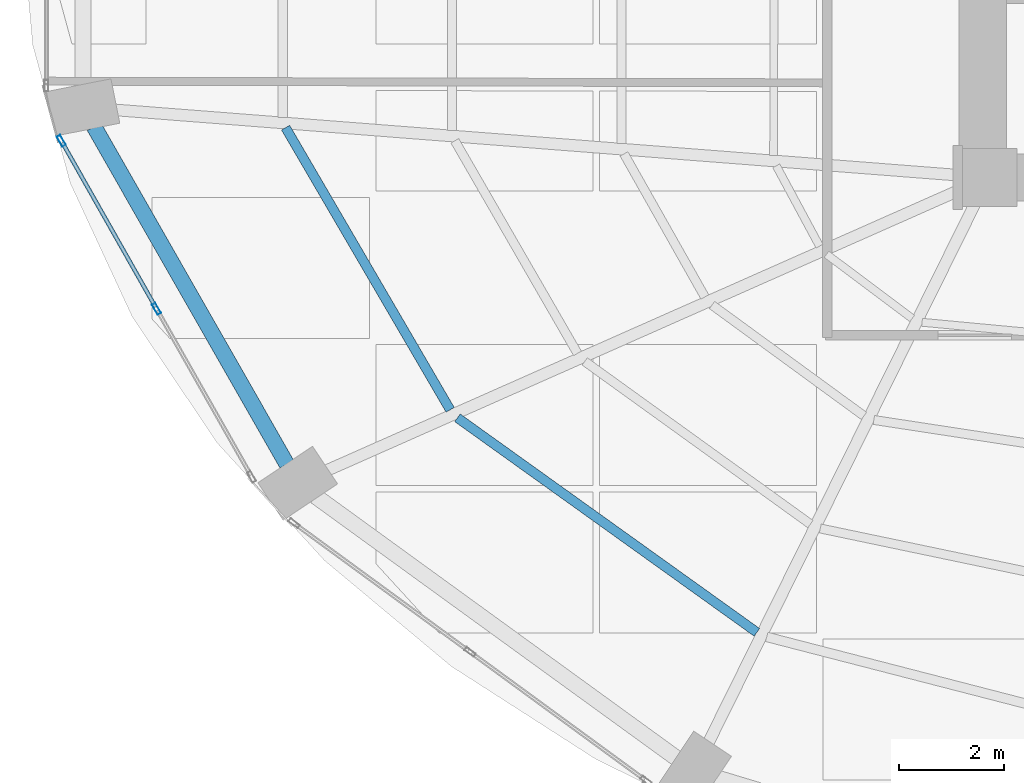
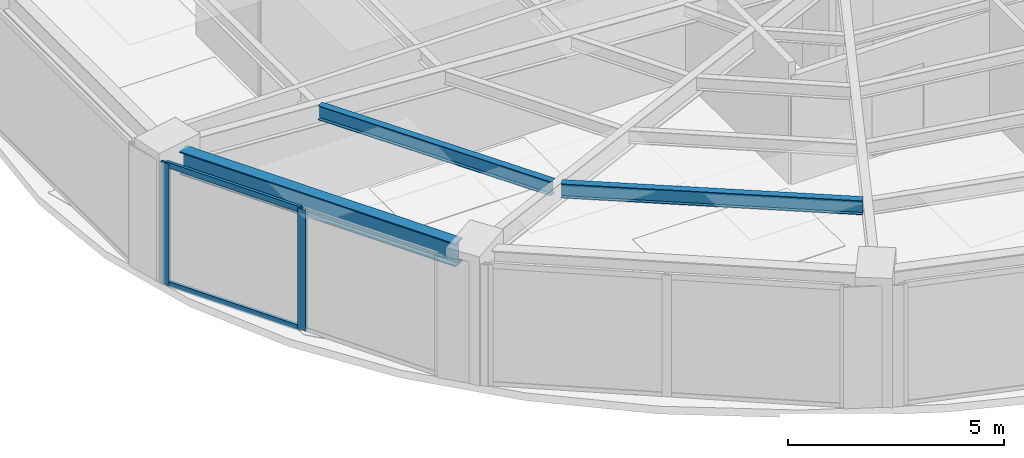
# One storey, part 3 of 24: 4 members, 3 beams, 1 element without a shape of its own.
"""IFC4 building model written with IfcOpenShell, lengths in metres."""

from ifc_helpers import new_model, si_unit, direction, frame, origin, origin_2d, place, context, subcontext, project, spatial, hollow_rectangle, i_section, extrude, material, layer, layer_set, material_profile, profile_set, type_object, element, aggregate, save


model = new_model("IFC4")

# Units and contexts
model_context = context("Model", 3, precision=1e-05, world=origin(), true_north=direction((0.0, 1.0)))
body_context = subcontext(model_context, "Body", "Model", "MODEL_VIEW")
ifc_project = project(units=[si_unit("LENGTHUNIT", "METRE"), si_unit("AREAUNIT", "SQUARE_METRE"), si_unit("VOLUMEUNIT", "CUBIC_METRE"), si_unit("PLANEANGLEUNIT", "RADIAN"), si_unit("MASSUNIT", "GRAM", prefix="KILO")], contexts=[model_context])

# Site, building, storey
site_placement = place(None, origin())
site = spatial("IfcSite", under=ifc_project, at=site_placement, CompositionType="ELEMENT")
building_placement = place(site_placement, origin())
building = spatial("IfcBuilding", under=site, at=building_placement, Name="Lazwardi Medical Tower", CompositionType="ELEMENT")
storey_placement = place(building_placement, frame((0.0, 0.0, 65.327880859375)))
storey = spatial("IfcBuildingStorey", under=building, at=storey_placement, Name="L16", CompositionType="ELEMENT", Elevation=65.327880859375)

# Beams
ifc_material_1 = material(Name="Steel S355", Category="steel")
ifc_material_profile_1 = material_profile(ifc_material_1, i_section(OverallWidth=0.300048828125, OverallDepth=0.64990234375, WebThickness=0.01611328125, FlangeThickness=0.031005859375, at=origin_2d()), Name="HEB 650")
ifc_profile_set_1 = profile_set([ifc_material_profile_1], Name="Steel S355")
beam_type_1 = type_object("IfcBeamType", Name="BM-RB-Z1", PredefinedType="BEAM", material=ifc_profile_set_1)
beam_1_placement = place(storey_placement, frame((9.408203125, 21.36767578125, 3.10302734375), z_axis=(0.49581512241, -0.868428099724, 0.0), x_axis=(0.868428099724, 0.49581512241, 0.0)))
element("IfcBeam", 1, at=beam_1_placement, inside=storey, type_object=beam_type_1, Name="Ring beam RB-02 B13 L16", PredefinedType="BEAM", context=body_context, shape_type="SweptSolid", body=[
    extrude(i_section(OverallWidth=0.300048828125, OverallDepth=0.64990234375, WebThickness=0.01611328125, FlangeThickness=0.031005859375, at=origin_2d()), origin(), (0.0, 0.0, 1.0), 7.389404296875),
])
ifc_material_profile_2 = material_profile(ifc_material_1, i_section(OverallWidth=0.179931640625, OverallDepth=0.39990234375, WebThickness=0.008544921875, FlangeThickness=0.013427734375, at=origin_2d()), Name="IPE 400")
ifc_profile_set_2 = profile_set([ifc_material_profile_2], Name="Steel S355")
beam_type_2 = type_object("IfcBeamType", Name="BM-SJ-01", PredefinedType="JOIST", material=ifc_profile_set_2)
beam_2_placement = place(storey_placement, frame((13.048828125, 21.34765625, 3.22802734375), z_axis=(0.503846579557, -0.863793160582, 0.0), x_axis=(0.863793160582, 0.503846579557, 0.0)))
element("IfcBeam", 2, at=beam_2_placement, inside=storey, type_object=beam_type_2, Name="Secondary joist SJ-01 R1 B13 L16", PredefinedType="JOIST", context=body_context, shape_type="SweptSolid", body=[
    extrude(i_section(OverallWidth=0.179931640625, OverallDepth=0.39990234375, WebThickness=0.008544921875, FlangeThickness=0.013427734375, at=origin_2d()), origin(), (0.0, 0.0, 1.0), 6.20947265625),
])
beam_3_placement = place(storey_placement, frame((16.31591796875, 15.83203125, 3.22802734375), z_axis=(0.812901036873, -0.582401840872, 0.0), x_axis=(0.582401840872, 0.812901036873, 0.0)))
element("IfcBeam", 3, at=beam_3_placement, inside=storey, type_object=beam_type_2, Name="Secondary joist SJ-01 R1 B14 L16", PredefinedType="JOIST", context=body_context, shape_type="SweptSolid", body=[
    extrude(i_section(OverallWidth=0.179931640625, OverallDepth=0.39990234375, WebThickness=0.008544921875, FlangeThickness=0.013427734375, at=origin_2d()), origin(), (0.0, 0.0, 1.0), 7.002197265625),
])

# Curtain wall, members
ifc_material_2 = material(Name="Anodised bronze aluminium and solar control glazing", Category="aluminium")
ifc_layer = layer(ifc_material_2, 0.199951171875)
ifc_layer_set = layer_set([ifc_layer], Name="Anodised bronze aluminium and solar control glazing")
curtain_wall_type = type_object("IfcCurtainWallType", Name="CW-SYS-02", PredefinedType="NOTDEFINED", material=ifc_layer_set)
curtain_wall_placement = place(storey_placement, origin())
curtain_wall = element("IfcCurtainWall", 4, at=curtain_wall_placement, inside=storey, type_object=curtain_wall_type, Name="L16 Unitised bronze curtain wall CW-02", PredefinedType="NOTDEFINED")
ifc_material_3 = material(Name="Anodised bronze aluminium", Category="aluminium")
ifc_material_profile_3 = material_profile(ifc_material_3, hollow_rectangle(XDim=0.074951171875, YDim=0.219970703125, WallThickness=0.00390625, at=origin_2d()), Name="ALU-MULLION 220x75x4")
ifc_profile_set_3 = profile_set([ifc_material_profile_3], Name="Anodised bronze aluminium")
member_type_1 = type_object("IfcMemberType", Name="CW-MUL-01", PredefinedType="MULLION", material=ifc_profile_set_3)
member_1_placement = place(storey_placement, frame((8.785888671875, 21.09765625, 0.0), z_axis=(0.0, 0.0, 1.0), x_axis=(0.870111838823, 0.492854327303, 0.0)))
member_1 = element("IfcMember", 5, at=member_1_placement, type_object=member_type_1, Name="CW-02 mullion 1", PredefinedType="MULLION", context=body_context, shape_type="SweptSolid", body=[
    extrude(hollow_rectangle(XDim=0.074951171875, YDim=0.219970703125, WallThickness=0.00390625, at=origin_2d()), origin(), (0.0, 0.0, 1.0), 3.42822265625),
])
member_2_placement = place(storey_placement, frame((10.5947265625, 17.904541015625, 0.0), z_axis=(0.0, 0.0, 1.0), x_axis=(0.870111838823, 0.492854327303, 0.0)))
member_2 = element("IfcMember", 6, at=member_2_placement, type_object=member_type_1, Name="CW-02 mullion 2", PredefinedType="MULLION", context=body_context, shape_type="SweptSolid", body=[
    extrude(hollow_rectangle(XDim=0.074951171875, YDim=0.219970703125, WallThickness=0.00390625, at=origin_2d()), origin(), (0.0, 0.0, 1.0), 3.42822265625),
])
ifc_material_profile_4 = material_profile(ifc_material_3, hollow_rectangle(XDim=0.074951171875, YDim=0.159912109375, WallThickness=0.00390625, at=origin_2d()), Name="ALU-TRANSOM 160x75x4")
ifc_profile_set_4 = profile_set([ifc_material_profile_4], Name="Anodised bronze aluminium")
member_type_2 = type_object("IfcMemberType", Name="CW-TRN-01", PredefinedType="USERDEFINED", material=ifc_profile_set_4)
member_3_placement = place(storey_placement, frame((8.804443359375, 21.06494140625, 0.03759765625), z_axis=(0.492880614687, -0.870096948429, 0.0), x_axis=(0.870096948429, 0.492880614687, 0.0)))
member_3 = element("IfcMember", 7, at=member_3_placement, type_object=member_type_2, Name="CW-02 transom 1.1", ObjectType="TRANSOM", PredefinedType="USERDEFINED", context=body_context, shape_type="SweptSolid", body=[
    extrude(hollow_rectangle(XDim=0.074951171875, YDim=0.159912109375, WallThickness=0.00390625, at=origin_2d()), origin(), (0.0, 0.0, 1.0), 3.5947265625),
])
member_4_placement = place(storey_placement, frame((8.804443359375, 21.06494140625, 3.390625), z_axis=(0.492880614687, -0.870096948429, 0.0), x_axis=(0.870096948429, 0.492880614687, 0.0)))
member_4 = element("IfcMember", 8, at=member_4_placement, type_object=member_type_2, Name="CW-02 transom 1.2", ObjectType="TRANSOM", PredefinedType="USERDEFINED", context=body_context, shape_type="SweptSolid", body=[
    extrude(hollow_rectangle(XDim=0.074951171875, YDim=0.159912109375, WallThickness=0.00390625, at=origin_2d()), origin(), (0.0, 0.0, 1.0), 3.5947265625),
])
aggregate(curtain_wall, [member_1, member_2, member_3, member_4])

save(model, "model.ifc")
